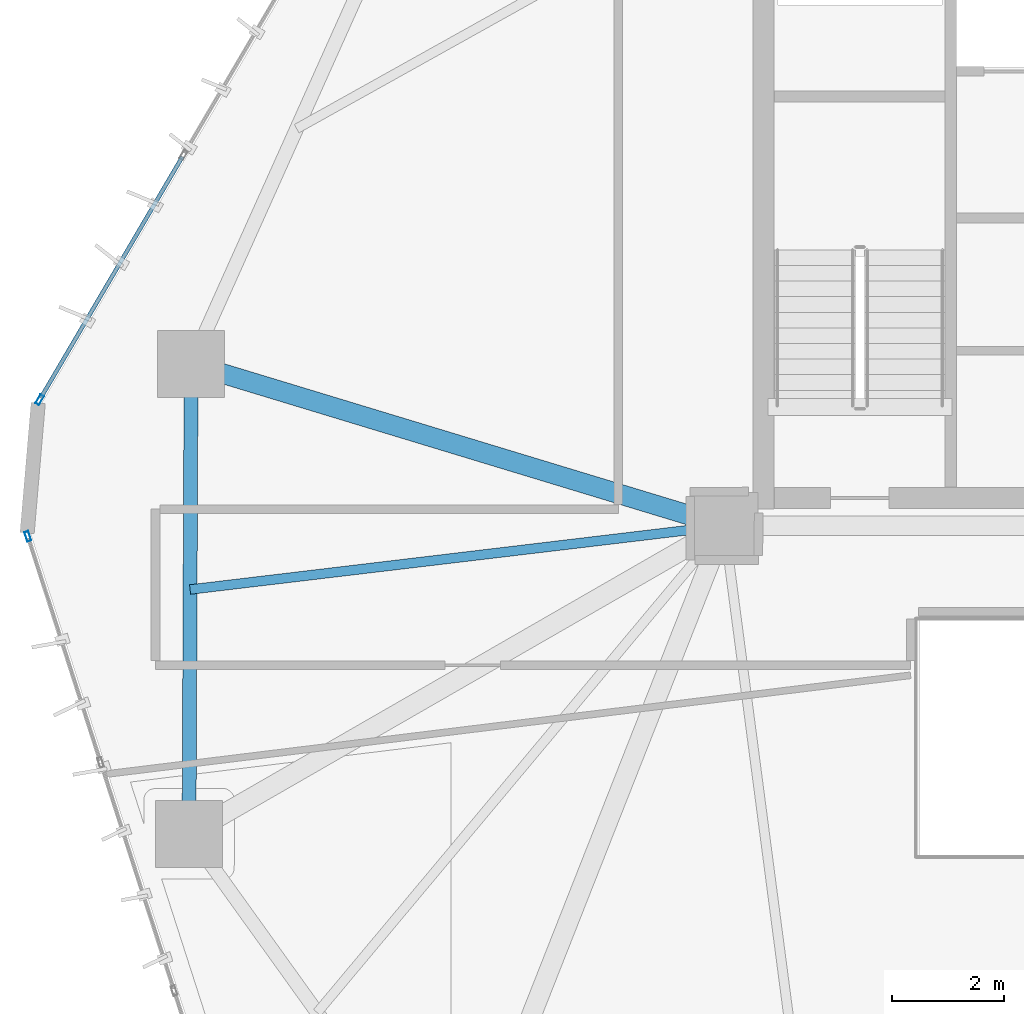
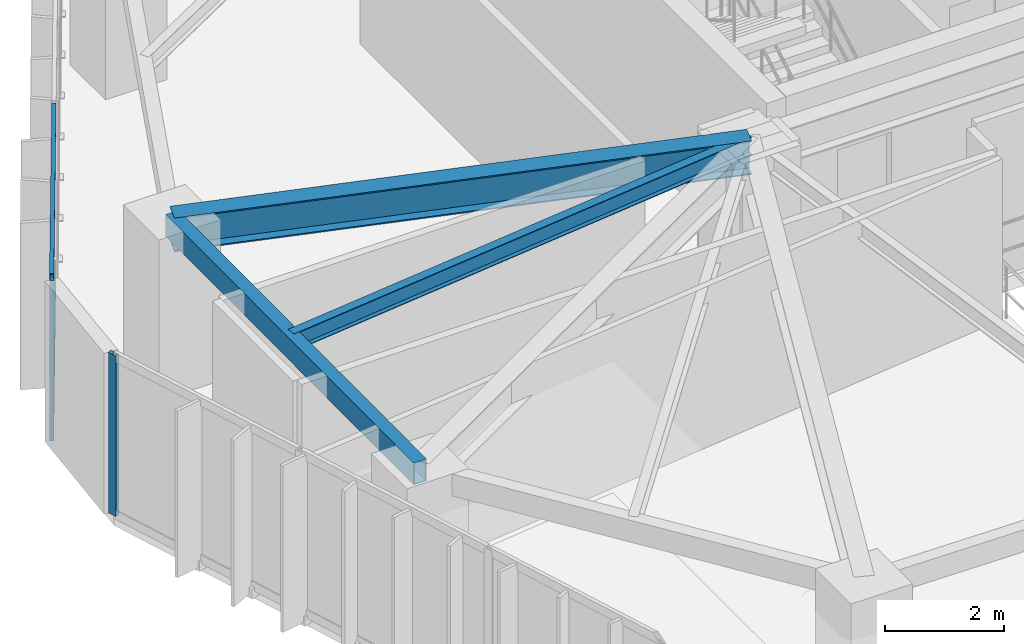
# One storey, part 7 of 20: 4 members, 3 beams, 2 elements without a shape of their own.
"""IFC4 building model written with IfcOpenShell, lengths in metres."""

from ifc_helpers import new_model, si_unit, direction, frame, origin, origin_2d, place, context, subcontext, project, spatial, hollow_rectangle, i_section, extrude, source, transform, mapped, material, layer, layer_set, material_profile, profile_set, type_object, type_shapes, element, aggregate, save


model = new_model("IFC4")

# Units and contexts
model_context = context("Model", 3, precision=1e-05, world=origin(), true_north=direction((0.0, 1.0)))
body_context = subcontext(model_context, "Body", "Model", "MODEL_VIEW")
ifc_project = project(units=[si_unit("LENGTHUNIT", "METRE"), si_unit("AREAUNIT", "SQUARE_METRE"), si_unit("VOLUMEUNIT", "CUBIC_METRE"), si_unit("PLANEANGLEUNIT", "RADIAN"), si_unit("MASSUNIT", "GRAM", prefix="KILO")], contexts=[model_context])

# Site, building, storey
site_placement = place(None, origin())
site = spatial("IfcSite", under=ifc_project, at=site_placement, CompositionType="ELEMENT")
building_placement = place(site_placement, origin())
building = spatial("IfcBuilding", under=site, at=building_placement, Name="Talar Marvaseh", CompositionType="ELEMENT")
storey_placement = place(building_placement, frame((0.0, 0.0, 136.199951171875)))
storey = spatial("IfcBuildingStorey", under=building, at=storey_placement, Name="L35", CompositionType="ELEMENT", Elevation=136.199951171875)

# Beams
ifc_material_1 = material(Name="Steel S355", Category="steel")
ifc_material_profile_1 = material_profile(ifc_material_1, hollow_rectangle(XDim=0.25, YDim=0.449951171875, WallThickness=0.01611328125, at=origin_2d()), Name="RHS450x250x16")
ifc_profile_set_1 = profile_set([ifc_material_profile_1], Name="Steel S355")
beam_type_1 = type_object("IfcBeamType", Name="Zone 2 Perimeter Spandrel Beam RHS450x250x16", PredefinedType="SPANDREL", material=ifc_profile_set_1)
beam_1_placement = place(storey_placement, frame((9.10107421875, 19.97705078125, 3.0849609375), z_axis=(0.004375628226, 0.999990426893, 0.0), x_axis=(-0.999990426893, 0.004375628226, 0.0)))
element("IfcBeam", 1, at=beam_1_placement, inside=storey, type_object=beam_type_1, Name="L35 Zone 2 Perimeter Spandrel Beam RHS450x250x16", PredefinedType="SPANDREL", context=body_context, shape_type="SweptSolid", body=[
    extrude(hollow_rectangle(XDim=0.25, YDim=0.449951171875, WallThickness=0.01611328125, at=origin_2d()), origin(), (0.0, 0.0, 1.0), 8.425048828125),
])
ifc_material_profile_2 = material_profile(ifc_material_1, i_section(OverallWidth=0.35498046875, OverallDepth=0.695068359375, WebThickness=0.015380859375, FlangeThickness=0.02490234375, at=origin_2d()), Name="W690x217")
ifc_profile_set_2 = profile_set([ifc_material_profile_2], Name="Steel S355")
beam_type_2 = type_object("IfcBeamType", Name="Zone 2 Radial Floor Girder W690x217", PredefinedType="BEAM", material=ifc_profile_set_2)
beam_2_placement = place(storey_placement, frame((9.137939453125, 28.402099609375, 2.962646484375), z_axis=(0.956898764921, -0.290421682546, 0.0), x_axis=(0.290421682546, 0.956898764921, 0.0)))
element("IfcBeam", 2, at=beam_2_placement, inside=storey, type_object=beam_type_2, Name="L35 Zone 2 Radial Floor Girder W690x217", PredefinedType="BEAM", context=body_context, shape_type="SweptSolid", body=[
    extrude(i_section(OverallWidth=0.35498046875, OverallDepth=0.695068359375, WebThickness=0.015380859375, FlangeThickness=0.02490234375, at=origin_2d()), origin(), (0.0, 0.0, 1.0), 9.99267578125),
])
ifc_material_profile_3 = material_profile(ifc_material_1, i_section(OverallWidth=0.172119140625, OverallDepth=0.35791015625, WebThickness=0.0078125, FlangeThickness=0.01318359375, at=origin_2d()), Name="W360x57")
ifc_profile_set_3 = profile_set([ifc_material_profile_3], Name="Steel S355")
beam_type_3 = type_object("IfcBeamType", Name="Zone 2 Secondary Floor Joist W360x57", PredefinedType="JOIST", material=ifc_profile_set_3)
beam_3_placement = place(storey_placement, frame((9.1201171875, 24.35791015625, 3.131103515625), z_axis=(0.992968386245, 0.118379829018, 0.0), x_axis=(-0.118379829018, 0.992968386245, 0.0)))
element("IfcBeam", 3, at=beam_3_placement, inside=storey, type_object=beam_type_3, Name="L35 Zone 2 Secondary Floor Joist W360x57", PredefinedType="JOIST", context=body_context, shape_type="SweptSolid", body=[
    extrude(i_section(OverallWidth=0.172119140625, OverallDepth=0.35791015625, WebThickness=0.0078125, FlangeThickness=0.01318359375, at=origin_2d()), origin(), (0.0, 0.0, 1.0), 9.647705078125),
])

# Curtain wall, member
ifc_material_2 = material(Name="Architectural Aluminium", Category="aluminium")
ifc_layer = layer(ifc_material_2, 0.199951171875)
ifc_layer_set = layer_set([ifc_layer], Name="Architectural Aluminium")
curtain_wall_type = type_object("IfcCurtainWallType", Name="Unitised Acoustic Library Curtain Wall Z2", PredefinedType="NOTDEFINED", material=ifc_layer_set)
curtain_wall_1_placement = place(storey_placement, origin())
curtain_wall_1 = element("IfcCurtainWall", 4, at=curtain_wall_1_placement, inside=storey, type_object=curtain_wall_type, Name="L35 Unitised Acoustic Library Curtain Wall Z2", PredefinedType="NOTDEFINED")
ifc_material_profile_4 = material_profile(ifc_material_2, hollow_rectangle(XDim=0.074951171875, YDim=0.179931640625, WallThickness=0.0048828125, at=origin_2d()), Name="RHS180x75x5")
ifc_profile_set_4 = profile_set([ifc_material_profile_4], Name="Architectural Aluminium")
member_type_1 = type_object("IfcMemberType", Name="Unitised Curtain Wall Standard Mullion RHS180x75x5", PredefinedType="MULLION", material=ifc_profile_set_4)
shared_shape_1 = source(origin(), body_context, "Body", "SweptSolid", [
    extrude(hollow_rectangle(XDim=0.074951171875, YDim=0.179931640625, WallThickness=0.0048828125, at=origin_2d()), origin(), (0.0, 0.0, 1.0), 3.31005859375),
])
type_shapes(member_type_1, [shared_shape_1])
member_1_placement = place(storey_placement, frame((6.2109375, 25.3115234375, 0.0), z_axis=(0.0, 0.0, 1.0), x_axis=(-0.951882475117, -0.306463298887, 0.0)))
member_1 = element("IfcMember", 5, at=member_1_placement, type_object=member_type_1, Name="CW-Z2 mullion 5", PredefinedType="MULLION", context=body_context, shape_type="MappedRepresentation", body=[
    mapped(shared_shape_1, transform((0.0, 0.0, 0.0), x_axis=(1.0, 0.0, 0.0), y_axis=(0.0, 1.0, 0.0), z_axis=(0.0, 0.0, 1.0), scale=1.0)),
])
aggregate(curtain_wall_1, [member_1])

# Curtain wall, members
curtain_wall_2_placement = place(storey_placement, origin())
curtain_wall_2 = element("IfcCurtainWall", 6, at=curtain_wall_2_placement, inside=storey, type_object=curtain_wall_type, Name="L35 Unitised Acoustic Library Curtain Wall Z2", PredefinedType="NOTDEFINED")
member_2_placement = place(storey_placement, frame((6.4228515625, 27.7607421875, 0.0), z_axis=(0.0, 0.0, 1.0), x_axis=(-0.862232890968, 0.506512035131, 0.0)))
member_2 = element("IfcMember", 7, at=member_2_placement, type_object=member_type_1, Name="CW-Z2 mullion 1", PredefinedType="MULLION", context=body_context, shape_type="MappedRepresentation", body=[
    mapped(shared_shape_1, transform((0.0, 0.0, 0.0), x_axis=(1.0, 0.0, 0.0), y_axis=(0.0, 1.0, 0.0), z_axis=(0.0, 0.0, 1.0), scale=1.0)),
])
ifc_material_profile_5 = material_profile(ifc_material_2, hollow_rectangle(XDim=0.074951171875, YDim=0.179931640625, WallThickness=0.0048828125, at=origin_2d()), Name="RHS180x75x5")
ifc_profile_set_5 = profile_set([ifc_material_profile_5], Name="Architectural Aluminium")
member_type_2 = type_object("IfcMemberType", Name="Unitised Curtain Wall Transom RHS180x75x5", PredefinedType="USERDEFINED", material=ifc_profile_set_5)
shared_shape_2 = source(origin(), body_context, "Body", "SweptSolid", [
    extrude(hollow_rectangle(XDim=0.074951171875, YDim=0.179931640625, WallThickness=0.0048828125, at=origin_2d()), origin(), (0.0, 0.0, 1.0), 5.017578125),
])
type_shapes(member_type_2, [shared_shape_2])
member_3_placement = place(storey_placement, frame((6.44189453125, 27.79296875, 0.03759765625), z_axis=(0.506473537205, 0.862255505121, 0.0), x_axis=(-0.862255505121, 0.506473537205, 0.0)))
member_3 = element("IfcMember", 8, at=member_3_placement, type_object=member_type_2, Name="CW-Z2 transom 1.1", ObjectType="TRANSOM", PredefinedType="USERDEFINED", context=body_context, shape_type="MappedRepresentation", body=[
    mapped(shared_shape_2, transform((0.0, 0.0, 0.0), x_axis=(1.0, 0.0, 0.0), y_axis=(0.0, 1.0, 0.0), z_axis=(0.0, 0.0, 1.0), scale=1.0)),
])
member_4_placement = place(storey_placement, frame((6.44189453125, 27.79296875, 3.2724609375), z_axis=(0.506473537205, 0.862255505121, 0.0), x_axis=(-0.862255505121, 0.506473537205, 0.0)))
member_4 = element("IfcMember", 9, at=member_4_placement, type_object=member_type_2, Name="CW-Z2 transom 1.2", ObjectType="TRANSOM", PredefinedType="USERDEFINED", context=body_context, shape_type="MappedRepresentation", body=[
    mapped(shared_shape_2, transform((0.0, 0.0, 0.0), x_axis=(1.0, 0.0, 0.0), y_axis=(0.0, 1.0, 0.0), z_axis=(0.0, 0.0, 1.0), scale=1.0)),
])
aggregate(curtain_wall_2, [member_2, member_3, member_4])

save(model, "model.ifc")
